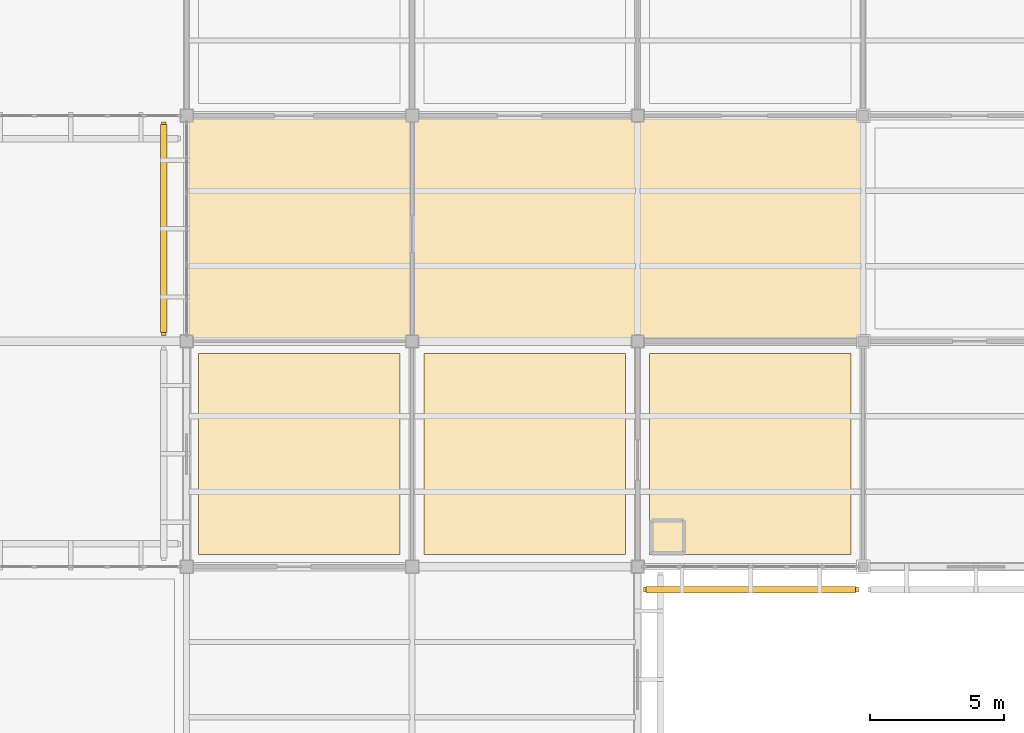
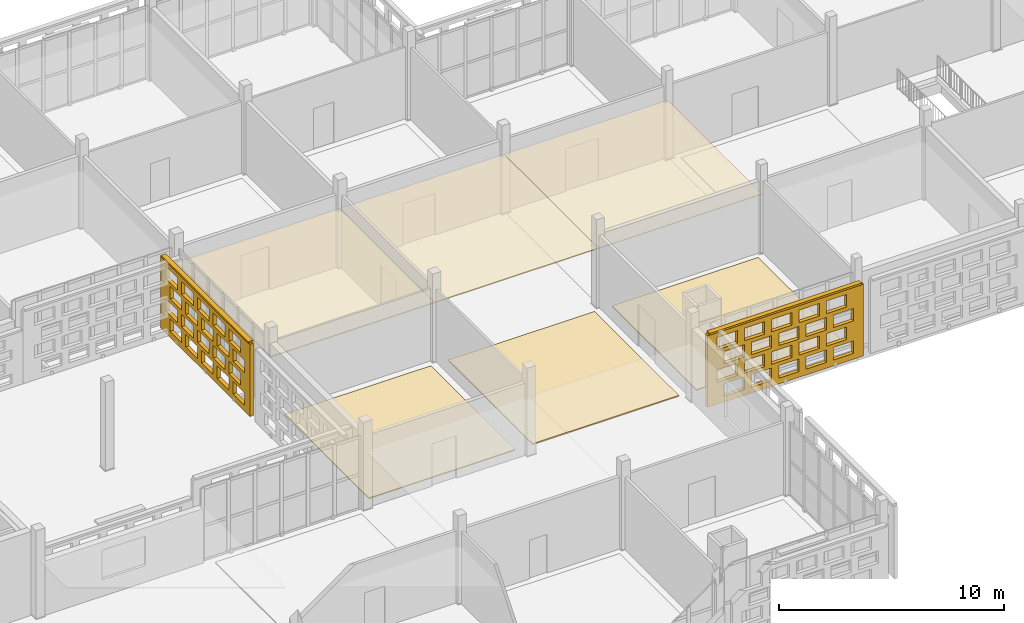
# One storey, part 141 of 203: 8 coverings, 2 shading devices, 40 openings.
"""IFC4 building model written with IfcOpenShell, lengths in metres."""

from ifc_helpers import new_model, si_unit, direction, frame, frame_2d, origin, origin_2d, place, context, subcontext, project, spatial, rectangle, extrude, material, layer, layer_set, type_object, element, save


model = new_model("IFC4")

# Units and contexts
model_context = context("Model", 3, precision=1e-05, world=origin(), true_north=direction((0.0, 1.0)))
body_context = subcontext(model_context, "Body", "Model", "MODEL_VIEW")
ifc_project = project(units=[si_unit("LENGTHUNIT", "METRE"), si_unit("AREAUNIT", "SQUARE_METRE"), si_unit("VOLUMEUNIT", "CUBIC_METRE"), si_unit("PLANEANGLEUNIT", "RADIAN"), si_unit("MASSUNIT", "GRAM", prefix="KILO")], contexts=[model_context])

# Site, building, storey
site_placement = place(None, origin())
site = spatial("IfcSite", under=ifc_project, at=site_placement, CompositionType="ELEMENT")
building_placement = place(site_placement, origin())
building = spatial("IfcBuilding", under=site, at=building_placement, Name="Varnapada Polytechnic", CompositionType="ELEMENT")
storey_placement = place(building_placement, frame((0.0, 0.0, 4.800048828125)))
storey = spatial("IfcBuildingStorey", under=building, at=storey_placement, Name="L01", CompositionType="ELEMENT", Elevation=4.800048828125)

# Coverings
ifc_material_1 = material(Name="Anti-Static Raised Laboratory Flooring")
ifc_layer_1 = layer(ifc_material_1, 0.06005859375)
ifc_layer_set_1 = layer_set([ifc_layer_1], Name="Anti-Static Raised Laboratory Flooring")
covering_type_1 = type_object("IfcCoveringType", Name="Floor Finish FLR-02", PredefinedType="FLOORING", material=ifc_layer_set_1)
covering_1_placement = place(storey_placement, frame((54.60009765625, 21.0, 0.0), z_axis=(0.0, 0.0, 1.0), x_axis=(1.0, 0.0, 0.0)))
element("IfcCovering", 1, at=covering_1_placement, inside=storey, type_object=covering_type_1, Name="L01 floor finish panel (7,3)", PredefinedType="FLOORING", context=body_context, shape_type="SweptSolid", body=[
    extrude(rectangle(XDim=7.5, YDim=7.5, at=origin_2d()), origin(), (0.0, 0.0, 1.0), 0.06005859375),
])
ifc_material_2 = material(Name="End-Grain Timber Studio Block Flooring", Category="wood")
ifc_layer_2 = layer(ifc_material_2, 0.054931640625)
ifc_layer_set_2 = layer_set([ifc_layer_2], Name="End-Grain Timber Studio Block Flooring")
covering_type_2 = type_object("IfcCoveringType", Name="Floor Finish FLR-04", PredefinedType="FLOORING", material=ifc_layer_set_2)
for number, where, z_axis, x_axis, name in (
    (2, (46.199951171875, 21.0, 0.0), (0.0, 0.0, 1.0), (1.0, 0.0, 0.0), "L01 floor finish panel (6,3)"),
    (3, (63.0, 21.0, 0.0), (0.0, 0.0, 1.0), (1.0, 0.0, 0.0), "L01 floor finish panel (8,3)"),
):
    element("IfcCovering", number, at=place(storey_placement, frame(where, z_axis=z_axis, x_axis=x_axis)), inside=storey, type_object=covering_type_2, Name=name, PredefinedType="FLOORING", context=body_context, shape_type="SweptSolid", body=[
        extrude(rectangle(XDim=7.5, YDim=7.5, at=origin_2d()), origin(), (0.0, 0.0, 1.0), 0.054931640625),
    ])
ifc_material_3 = material(Name="Perforated Timber Slatted Baffle Ceiling", Category="wood")
ifc_layer_3 = layer(ifc_material_3, 0.050048828125)
ifc_layer_set_3 = layer_set([ifc_layer_3], Name="Perforated Timber Slatted Baffle Ceiling")
covering_type_3 = type_object("IfcCoveringType", Name="Suspended Ceiling CLG-02", PredefinedType="CEILING", material=ifc_layer_set_3)
covering_2_placement = place(storey_placement, frame((46.199951171875, 29.39990234375, 3.02490234375), z_axis=(0.0, 0.0, 1.0), x_axis=(1.0, 0.0, 0.0)))
element("IfcCovering", 4, at=covering_2_placement, inside=storey, type_object=covering_type_3, Name="L01 suspended acoustic ceiling (6,4)", PredefinedType="CEILING", context=body_context, shape_type="SweptSolid", body=[
    extrude(rectangle(XDim=8.419921875, YDim=8.419921875, at=origin_2d()), origin(), (0.0, 0.0, 1.0), 0.050048828125),
])
ifc_material_4 = material(Name="Slatted Merbau Timber Acoustic Ceiling", Category="wood")
ifc_layer_4 = layer(ifc_material_4, 0.054931640625)
ifc_layer_set_4 = layer_set([ifc_layer_4], Name="Slatted Merbau Timber Acoustic Ceiling")
covering_type_4 = type_object("IfcCoveringType", Name="Suspended Ceiling CLG-05", PredefinedType="CEILING", material=ifc_layer_set_4)
covering_3_placement = place(storey_placement, frame((54.60009765625, 29.39990234375, 3.0224609375), z_axis=(0.0, 0.0, 1.0), x_axis=(1.0, 0.0, 0.0)))
element("IfcCovering", 5, at=covering_3_placement, inside=storey, type_object=covering_type_4, Name="L01 suspended acoustic ceiling (7,4)", PredefinedType="CEILING", context=body_context, shape_type="SweptSolid", body=[
    extrude(rectangle(XDim=8.419921875, YDim=8.419921875, at=origin_2d()), origin(), (0.0, 0.0, 1.0), 0.054931640625),
])
ifc_material_5 = material(Name="Cleanroom Laboratory Metal Pan Ceiling")
ifc_layer_5 = layer(ifc_material_5, 0.034912109375)
ifc_layer_set_5 = layer_set([ifc_layer_5], Name="Cleanroom Laboratory Metal Pan Ceiling")
covering_type_5 = type_object("IfcCoveringType", Name="Suspended Ceiling CLG-06", PredefinedType="CEILING", material=ifc_layer_set_5)
covering_4_placement = place(storey_placement, frame((63.0, 29.39990234375, 3.03271484375), z_axis=(0.0, 0.0, 1.0), x_axis=(1.0, 0.0, 0.0)))
element("IfcCovering", 6, at=covering_4_placement, inside=storey, type_object=covering_type_5, Name="L01 suspended acoustic ceiling (8,4)", PredefinedType="CEILING", context=body_context, shape_type="SweptSolid", body=[
    extrude(rectangle(XDim=8.419921875, YDim=8.419921875, at=origin_2d()), origin(), (0.0, 0.0, 1.0), 0.034912109375),
])

# Covering, openings
ifc_material_6 = material(Name="Earth-toned architectural terracotta screen block", Category="masonry")
ifc_layer_6 = layer(ifc_material_6, 0.1201171875)
ifc_layer_set_6 = layer_set([ifc_layer_6], Name="Earth-toned architectural terracotta screen block")
covering_type_6 = type_object("IfcCoveringType", Name="Terracotta Screen Cladding CLD-01", PredefinedType="CLADDING", material=ifc_layer_set_6)
covering_5_placement = place(storey_placement, frame((41.14990234375, 25.419921875, 0.0), z_axis=(0.0, 0.0, 1.0), x_axis=(0.0, 1.0, 0.0)))
covering_5 = element("IfcCovering", 7, at=covering_5_placement, inside=storey, type_object=covering_type_6, Name="L01 perforated terracotta block screen (39)", PredefinedType="CLADDING", context=body_context, shape_type="SweptSolid", body=[
    extrude(rectangle(XDim=7.9501953125, YDim=0.179931640625, at=frame_2d((3.97509765625, 0.0))), origin(), (0.0, 0.0, 1.0), 3.919921875),
])
opening_1_placement = place(covering_5_placement, frame((0.47509765625, 0.0, 0.313720703125)))
element("IfcOpeningElement", 8, at=opening_1_placement, cuts=covering_5, Name="Screen perforation TBS-L01-038.1", PredefinedType="OPENING", context=body_context, shape_type="SweptSolid", body=[
    extrude(rectangle(XDim=1.0400390625, YDim=0.679931640625, at=frame_2d((0.52001953125, 0.33984375))), frame((0.0, 0.099853515625, 0.0), z_axis=(0.0, -1.0, 0.0), x_axis=(1.0, 0.0, 0.0)), (0.0, 0.0, 1.0), 0.199951171875),
])
opening_2_placement = place(covering_5_placement, frame((1.875, 0.0, 0.313720703125)))
element("IfcOpeningElement", 9, at=opening_2_placement, cuts=covering_5, Name="Screen perforation TBS-L01-038.2", PredefinedType="OPENING", context=body_context, shape_type="SweptSolid", body=[
    extrude(rectangle(XDim=1.0400390625, YDim=0.679931640625, at=frame_2d((0.52001953125, 0.33984375))), frame((0.0, 0.099853515625, 0.0), z_axis=(0.0, -1.0, 0.0), x_axis=(1.0, 0.0, 0.0)), (0.0, 0.0, 1.0), 0.199951171875),
])
opening_3_placement = place(covering_5_placement, frame((3.27490234375, 0.0, 0.313720703125)))
element("IfcOpeningElement", 10, at=opening_3_placement, cuts=covering_5, Name="Screen perforation TBS-L01-038.3", PredefinedType="OPENING", context=body_context, shape_type="SweptSolid", body=[
    extrude(rectangle(XDim=1.0400390625, YDim=0.679931640625, at=frame_2d((0.52001953125, 0.33984375))), frame((0.0, 0.099853515625, 0.0), z_axis=(0.0, -1.0, 0.0), x_axis=(1.0, 0.0, 0.0)), (0.0, 0.0, 1.0), 0.199951171875),
])
opening_4_placement = place(covering_5_placement, frame((4.675048828125, 0.0, 0.313720703125)))
element("IfcOpeningElement", 11, at=opening_4_placement, cuts=covering_5, Name="Screen perforation TBS-L01-038.4", PredefinedType="OPENING", context=body_context, shape_type="SweptSolid", body=[
    extrude(rectangle(XDim=1.0400390625, YDim=0.679931640625, at=frame_2d((0.52001953125, 0.33984375))), frame((0.0, 0.099853515625, 0.0), z_axis=(0.0, -1.0, 0.0), x_axis=(1.0, 0.0, 0.0)), (0.0, 0.0, 1.0), 0.199951171875),
])
opening_5_placement = place(covering_5_placement, frame((6.074951171875, 0.0, 0.313720703125)))
element("IfcOpeningElement", 12, at=opening_5_placement, cuts=covering_5, Name="Screen perforation TBS-L01-038.5", PredefinedType="OPENING", context=body_context, shape_type="SweptSolid", body=[
    extrude(rectangle(XDim=1.0400390625, YDim=0.679931640625, at=frame_2d((0.52001953125, 0.33984375))), frame((0.0, 0.099853515625, 0.0), z_axis=(0.0, -1.0, 0.0), x_axis=(1.0, 0.0, 0.0)), (0.0, 0.0, 1.0), 0.199951171875),
])
opening_6_placement = place(covering_5_placement, frame((0.8349609375, 0.0, 1.195556640625)))
element("IfcOpeningElement", 13, at=opening_6_placement, cuts=covering_5, Name="Screen perforation TBS-L01-038.6", PredefinedType="OPENING", context=body_context, shape_type="SweptSolid", body=[
    extrude(rectangle(XDim=1.0400390625, YDim=0.679931640625, at=frame_2d((0.52001953125, 0.33984375))), frame((0.0, 0.099853515625, 0.0), z_axis=(0.0, -1.0, 0.0), x_axis=(1.0, 0.0, 0.0)), (0.0, 0.0, 1.0), 0.199951171875),
])
opening_7_placement = place(covering_5_placement, frame((2.235107421875, 0.0, 1.195556640625)))
element("IfcOpeningElement", 14, at=opening_7_placement, cuts=covering_5, Name="Screen perforation TBS-L01-038.7", PredefinedType="OPENING", context=body_context, shape_type="SweptSolid", body=[
    extrude(rectangle(XDim=1.0400390625, YDim=0.679931640625, at=frame_2d((0.52001953125, 0.33984375))), frame((0.0, 0.099853515625, 0.0), z_axis=(0.0, -1.0, 0.0), x_axis=(1.0, 0.0, 0.0)), (0.0, 0.0, 1.0), 0.199951171875),
])
opening_8_placement = place(covering_5_placement, frame((3.635009765625, 0.0, 1.195556640625)))
element("IfcOpeningElement", 15, at=opening_8_placement, cuts=covering_5, Name="Screen perforation TBS-L01-038.8", PredefinedType="OPENING", context=body_context, shape_type="SweptSolid", body=[
    extrude(rectangle(XDim=1.0400390625, YDim=0.679931640625, at=frame_2d((0.52001953125, 0.33984375))), frame((0.0, 0.099853515625, 0.0), z_axis=(0.0, -1.0, 0.0), x_axis=(1.0, 0.0, 0.0)), (0.0, 0.0, 1.0), 0.199951171875),
])
opening_9_placement = place(covering_5_placement, frame((5.034912109375, 0.0, 1.195556640625)))
element("IfcOpeningElement", 16, at=opening_9_placement, cuts=covering_5, Name="Screen perforation TBS-L01-038.9", PredefinedType="OPENING", context=body_context, shape_type="SweptSolid", body=[
    extrude(rectangle(XDim=1.0400390625, YDim=0.679931640625, at=frame_2d((0.52001953125, 0.33984375))), frame((0.0, 0.099853515625, 0.0), z_axis=(0.0, -1.0, 0.0), x_axis=(1.0, 0.0, 0.0)), (0.0, 0.0, 1.0), 0.199951171875),
])
opening_10_placement = place(covering_5_placement, frame((6.43505859375, 0.0, 1.195556640625)))
element("IfcOpeningElement", 17, at=opening_10_placement, cuts=covering_5, Name="Screen perforation TBS-L01-038.10", PredefinedType="OPENING", context=body_context, shape_type="SweptSolid", body=[
    extrude(rectangle(XDim=1.0400390625, YDim=0.679931640625, at=frame_2d((0.52001953125, 0.33984375))), frame((0.0, 0.099853515625, 0.0), z_axis=(0.0, -1.0, 0.0), x_axis=(1.0, 0.0, 0.0)), (0.0, 0.0, 1.0), 0.199951171875),
])
opening_11_placement = place(covering_5_placement, frame((0.47509765625, 0.0, 2.07763671875)))
element("IfcOpeningElement", 18, at=opening_11_placement, cuts=covering_5, Name="Screen perforation TBS-L01-038.11", PredefinedType="OPENING", context=body_context, shape_type="SweptSolid", body=[
    extrude(rectangle(XDim=1.0400390625, YDim=0.679931640625, at=frame_2d((0.52001953125, 0.33984375))), frame((0.0, 0.099853515625, 0.0), z_axis=(0.0, -1.0, 0.0), x_axis=(1.0, 0.0, 0.0)), (0.0, 0.0, 1.0), 0.199951171875),
])
opening_12_placement = place(covering_5_placement, frame((1.875, 0.0, 2.07763671875)))
element("IfcOpeningElement", 19, at=opening_12_placement, cuts=covering_5, Name="Screen perforation TBS-L01-038.12", PredefinedType="OPENING", context=body_context, shape_type="SweptSolid", body=[
    extrude(rectangle(XDim=1.0400390625, YDim=0.679931640625, at=frame_2d((0.52001953125, 0.33984375))), frame((0.0, 0.099853515625, 0.0), z_axis=(0.0, -1.0, 0.0), x_axis=(1.0, 0.0, 0.0)), (0.0, 0.0, 1.0), 0.199951171875),
])
opening_13_placement = place(covering_5_placement, frame((3.27490234375, 0.0, 2.07763671875)))
element("IfcOpeningElement", 20, at=opening_13_placement, cuts=covering_5, Name="Screen perforation TBS-L01-038.13", PredefinedType="OPENING", context=body_context, shape_type="SweptSolid", body=[
    extrude(rectangle(XDim=1.0400390625, YDim=0.679931640625, at=frame_2d((0.52001953125, 0.33984375))), frame((0.0, 0.099853515625, 0.0), z_axis=(0.0, -1.0, 0.0), x_axis=(1.0, 0.0, 0.0)), (0.0, 0.0, 1.0), 0.199951171875),
])
opening_14_placement = place(covering_5_placement, frame((4.675048828125, 0.0, 2.07763671875)))
element("IfcOpeningElement", 21, at=opening_14_placement, cuts=covering_5, Name="Screen perforation TBS-L01-038.14", PredefinedType="OPENING", context=body_context, shape_type="SweptSolid", body=[
    extrude(rectangle(XDim=1.0400390625, YDim=0.679931640625, at=frame_2d((0.52001953125, 0.33984375))), frame((0.0, 0.099853515625, 0.0), z_axis=(0.0, -1.0, 0.0), x_axis=(1.0, 0.0, 0.0)), (0.0, 0.0, 1.0), 0.199951171875),
])
opening_15_placement = place(covering_5_placement, frame((6.074951171875, 0.0, 2.07763671875)))
element("IfcOpeningElement", 22, at=opening_15_placement, cuts=covering_5, Name="Screen perforation TBS-L01-038.15", PredefinedType="OPENING", context=body_context, shape_type="SweptSolid", body=[
    extrude(rectangle(XDim=1.0400390625, YDim=0.679931640625, at=frame_2d((0.52001953125, 0.33984375))), frame((0.0, 0.099853515625, 0.0), z_axis=(0.0, -1.0, 0.0), x_axis=(1.0, 0.0, 0.0)), (0.0, 0.0, 1.0), 0.199951171875),
])
opening_16_placement = place(covering_5_placement, frame((0.8349609375, 0.0, 2.959716796875)))
element("IfcOpeningElement", 23, at=opening_16_placement, cuts=covering_5, Name="Screen perforation TBS-L01-038.16", PredefinedType="OPENING", context=body_context, shape_type="SweptSolid", body=[
    extrude(rectangle(XDim=1.0400390625, YDim=0.679931640625, at=frame_2d((0.52001953125, 0.33984375))), frame((0.0, 0.099853515625, 0.0), z_axis=(0.0, -1.0, 0.0), x_axis=(1.0, 0.0, 0.0)), (0.0, 0.0, 1.0), 0.199951171875),
])
opening_17_placement = place(covering_5_placement, frame((2.235107421875, 0.0, 2.959716796875)))
element("IfcOpeningElement", 24, at=opening_17_placement, cuts=covering_5, Name="Screen perforation TBS-L01-038.17", PredefinedType="OPENING", context=body_context, shape_type="SweptSolid", body=[
    extrude(rectangle(XDim=1.0400390625, YDim=0.679931640625, at=frame_2d((0.52001953125, 0.33984375))), frame((0.0, 0.099853515625, 0.0), z_axis=(0.0, -1.0, 0.0), x_axis=(1.0, 0.0, 0.0)), (0.0, 0.0, 1.0), 0.199951171875),
])
opening_18_placement = place(covering_5_placement, frame((3.635009765625, 0.0, 2.959716796875)))
element("IfcOpeningElement", 25, at=opening_18_placement, cuts=covering_5, Name="Screen perforation TBS-L01-038.18", PredefinedType="OPENING", context=body_context, shape_type="SweptSolid", body=[
    extrude(rectangle(XDim=1.0400390625, YDim=0.679931640625, at=frame_2d((0.52001953125, 0.33984375))), frame((0.0, 0.099853515625, 0.0), z_axis=(0.0, -1.0, 0.0), x_axis=(1.0, 0.0, 0.0)), (0.0, 0.0, 1.0), 0.199951171875),
])
opening_19_placement = place(covering_5_placement, frame((5.034912109375, 0.0, 2.959716796875)))
element("IfcOpeningElement", 26, at=opening_19_placement, cuts=covering_5, Name="Screen perforation TBS-L01-038.19", PredefinedType="OPENING", context=body_context, shape_type="SweptSolid", body=[
    extrude(rectangle(XDim=1.0400390625, YDim=0.679931640625, at=frame_2d((0.52001953125, 0.33984375))), frame((0.0, 0.099853515625, 0.0), z_axis=(0.0, -1.0, 0.0), x_axis=(1.0, 0.0, 0.0)), (0.0, 0.0, 1.0), 0.199951171875),
])
opening_20_placement = place(covering_5_placement, frame((6.43505859375, 0.0, 2.959716796875)))
element("IfcOpeningElement", 27, at=opening_20_placement, cuts=covering_5, Name="Screen perforation TBS-L01-038.20", PredefinedType="OPENING", context=body_context, shape_type="SweptSolid", body=[
    extrude(rectangle(XDim=1.0400390625, YDim=0.679931640625, at=frame_2d((0.52001953125, 0.33984375))), frame((0.0, 0.099853515625, 0.0), z_axis=(0.0, -1.0, 0.0), x_axis=(1.0, 0.0, 0.0)), (0.0, 0.0, 1.0), 0.199951171875),
])

covering_6_placement = place(storey_placement, frame((67.02001953125, 15.949951171875, 0.0), z_axis=(0.0, 0.0, 1.0), x_axis=(-1.0, 0.0, 0.0)))
covering_6 = element("IfcCovering", 28, at=covering_6_placement, inside=storey, type_object=covering_type_6, Name="L01 perforated terracotta block screen (54)", PredefinedType="CLADDING", context=body_context, shape_type="SweptSolid", body=[
    extrude(rectangle(XDim=8.010009765625, YDim=0.179931640625, at=frame_2d((4.0048828125, 0.0))), origin(), (0.0, 0.0, 1.0), 3.919921875),
])
opening_21_placement = place(covering_6_placement, frame((0.5048828125, 0.0, 0.313720703125)))
element("IfcOpeningElement", 29, at=opening_21_placement, cuts=covering_6, Name="Screen perforation TBS-L01-053.1", PredefinedType="OPENING", context=body_context, shape_type="SweptSolid", body=[
    extrude(rectangle(XDim=1.0400390625, YDim=0.679931640625, at=frame_2d((0.52001953125, 0.33984375))), frame((0.0, 0.099853515625, 0.0), z_axis=(0.0, -1.0, 0.0), x_axis=(1.0, 0.0, 0.0)), (0.0, 0.0, 1.0), 0.199951171875),
])
opening_22_placement = place(covering_6_placement, frame((1.905029296875, 0.0, 0.313720703125)))
element("IfcOpeningElement", 30, at=opening_22_placement, cuts=covering_6, Name="Screen perforation TBS-L01-053.2", PredefinedType="OPENING", context=body_context, shape_type="SweptSolid", body=[
    extrude(rectangle(XDim=1.0400390625, YDim=0.679931640625, at=frame_2d((0.52001953125, 0.33984375))), frame((0.0, 0.099853515625, 0.0), z_axis=(0.0, -1.0, 0.0), x_axis=(1.0, 0.0, 0.0)), (0.0, 0.0, 1.0), 0.199951171875),
])
opening_23_placement = place(covering_6_placement, frame((3.304931640625, 0.0, 0.313720703125)))
element("IfcOpeningElement", 31, at=opening_23_placement, cuts=covering_6, Name="Screen perforation TBS-L01-053.3", PredefinedType="OPENING", context=body_context, shape_type="SweptSolid", body=[
    extrude(rectangle(XDim=1.0400390625, YDim=0.679931640625, at=frame_2d((0.52001953125, 0.33984375))), frame((0.0, 0.099853515625, 0.0), z_axis=(0.0, -1.0, 0.0), x_axis=(1.0, 0.0, 0.0)), (0.0, 0.0, 1.0), 0.199951171875),
])
opening_24_placement = place(covering_6_placement, frame((4.705078125, 0.0, 0.313720703125)))
element("IfcOpeningElement", 32, at=opening_24_placement, cuts=covering_6, Name="Screen perforation TBS-L01-053.4", PredefinedType="OPENING", context=body_context, shape_type="SweptSolid", body=[
    extrude(rectangle(XDim=1.0400390625, YDim=0.679931640625, at=frame_2d((0.52001953125, 0.33984375))), frame((0.0, 0.099853515625, 0.0), z_axis=(0.0, -1.0, 0.0), x_axis=(1.0, 0.0, 0.0)), (0.0, 0.0, 1.0), 0.199951171875),
])
opening_25_placement = place(covering_6_placement, frame((6.10498046875, 0.0, 0.313720703125)))
element("IfcOpeningElement", 33, at=opening_25_placement, cuts=covering_6, Name="Screen perforation TBS-L01-053.5", PredefinedType="OPENING", context=body_context, shape_type="SweptSolid", body=[
    extrude(rectangle(XDim=1.0400390625, YDim=0.679931640625, at=frame_2d((0.52001953125, 0.33984375))), frame((0.0, 0.099853515625, 0.0), z_axis=(0.0, -1.0, 0.0), x_axis=(1.0, 0.0, 0.0)), (0.0, 0.0, 1.0), 0.199951171875),
])
opening_26_placement = place(covering_6_placement, frame((0.864990234375, 0.0, 1.195556640625)))
element("IfcOpeningElement", 34, at=opening_26_placement, cuts=covering_6, Name="Screen perforation TBS-L01-053.6", PredefinedType="OPENING", context=body_context, shape_type="SweptSolid", body=[
    extrude(rectangle(XDim=1.0400390625, YDim=0.679931640625, at=frame_2d((0.52001953125, 0.33984375))), frame((0.0, 0.099853515625, 0.0), z_axis=(0.0, -1.0, 0.0), x_axis=(1.0, 0.0, 0.0)), (0.0, 0.0, 1.0), 0.199951171875),
])
opening_27_placement = place(covering_6_placement, frame((2.264892578125, 0.0, 1.195556640625)))
element("IfcOpeningElement", 35, at=opening_27_placement, cuts=covering_6, Name="Screen perforation TBS-L01-053.7", PredefinedType="OPENING", context=body_context, shape_type="SweptSolid", body=[
    extrude(rectangle(XDim=1.0400390625, YDim=0.679931640625, at=frame_2d((0.52001953125, 0.33984375))), frame((0.0, 0.099853515625, 0.0), z_axis=(0.0, -1.0, 0.0), x_axis=(1.0, 0.0, 0.0)), (0.0, 0.0, 1.0), 0.199951171875),
])
opening_28_placement = place(covering_6_placement, frame((3.6650390625, 0.0, 1.195556640625)))
element("IfcOpeningElement", 36, at=opening_28_placement, cuts=covering_6, Name="Screen perforation TBS-L01-053.8", PredefinedType="OPENING", context=body_context, shape_type="SweptSolid", body=[
    extrude(rectangle(XDim=1.0400390625, YDim=0.679931640625, at=frame_2d((0.52001953125, 0.33984375))), frame((0.0, 0.099853515625, 0.0), z_axis=(0.0, -1.0, 0.0), x_axis=(1.0, 0.0, 0.0)), (0.0, 0.0, 1.0), 0.199951171875),
])
opening_29_placement = place(covering_6_placement, frame((5.06494140625, 0.0, 1.195556640625)))
element("IfcOpeningElement", 37, at=opening_29_placement, cuts=covering_6, Name="Screen perforation TBS-L01-053.9", PredefinedType="OPENING", context=body_context, shape_type="SweptSolid", body=[
    extrude(rectangle(XDim=1.0400390625, YDim=0.679931640625, at=frame_2d((0.52001953125, 0.33984375))), frame((0.0, 0.099853515625, 0.0), z_axis=(0.0, -1.0, 0.0), x_axis=(1.0, 0.0, 0.0)), (0.0, 0.0, 1.0), 0.199951171875),
])
opening_30_placement = place(covering_6_placement, frame((6.465087890625, 0.0, 1.195556640625)))
element("IfcOpeningElement", 38, at=opening_30_placement, cuts=covering_6, Name="Screen perforation TBS-L01-053.10", PredefinedType="OPENING", context=body_context, shape_type="SweptSolid", body=[
    extrude(rectangle(XDim=1.0400390625, YDim=0.679931640625, at=frame_2d((0.52001953125, 0.33984375))), frame((0.0, 0.099853515625, 0.0), z_axis=(0.0, -1.0, 0.0), x_axis=(1.0, 0.0, 0.0)), (0.0, 0.0, 1.0), 0.199951171875),
])
opening_31_placement = place(covering_6_placement, frame((0.5048828125, 0.0, 2.07763671875)))
element("IfcOpeningElement", 39, at=opening_31_placement, cuts=covering_6, Name="Screen perforation TBS-L01-053.11", PredefinedType="OPENING", context=body_context, shape_type="SweptSolid", body=[
    extrude(rectangle(XDim=1.0400390625, YDim=0.679931640625, at=frame_2d((0.52001953125, 0.33984375))), frame((0.0, 0.099853515625, 0.0), z_axis=(0.0, -1.0, 0.0), x_axis=(1.0, 0.0, 0.0)), (0.0, 0.0, 1.0), 0.199951171875),
])
opening_32_placement = place(covering_6_placement, frame((1.905029296875, 0.0, 2.07763671875)))
element("IfcOpeningElement", 40, at=opening_32_placement, cuts=covering_6, Name="Screen perforation TBS-L01-053.12", PredefinedType="OPENING", context=body_context, shape_type="SweptSolid", body=[
    extrude(rectangle(XDim=1.0400390625, YDim=0.679931640625, at=frame_2d((0.52001953125, 0.33984375))), frame((0.0, 0.099853515625, 0.0), z_axis=(0.0, -1.0, 0.0), x_axis=(1.0, 0.0, 0.0)), (0.0, 0.0, 1.0), 0.199951171875),
])
opening_33_placement = place(covering_6_placement, frame((3.304931640625, 0.0, 2.07763671875)))
element("IfcOpeningElement", 41, at=opening_33_placement, cuts=covering_6, Name="Screen perforation TBS-L01-053.13", PredefinedType="OPENING", context=body_context, shape_type="SweptSolid", body=[
    extrude(rectangle(XDim=1.0400390625, YDim=0.679931640625, at=frame_2d((0.52001953125, 0.33984375))), frame((0.0, 0.099853515625, 0.0), z_axis=(0.0, -1.0, 0.0), x_axis=(1.0, 0.0, 0.0)), (0.0, 0.0, 1.0), 0.199951171875),
])
opening_34_placement = place(covering_6_placement, frame((4.705078125, 0.0, 2.07763671875)))
element("IfcOpeningElement", 42, at=opening_34_placement, cuts=covering_6, Name="Screen perforation TBS-L01-053.14", PredefinedType="OPENING", context=body_context, shape_type="SweptSolid", body=[
    extrude(rectangle(XDim=1.0400390625, YDim=0.679931640625, at=frame_2d((0.52001953125, 0.33984375))), frame((0.0, 0.099853515625, 0.0), z_axis=(0.0, -1.0, 0.0), x_axis=(1.0, 0.0, 0.0)), (0.0, 0.0, 1.0), 0.199951171875),
])
opening_35_placement = place(covering_6_placement, frame((6.10498046875, 0.0, 2.07763671875)))
element("IfcOpeningElement", 43, at=opening_35_placement, cuts=covering_6, Name="Screen perforation TBS-L01-053.15", PredefinedType="OPENING", context=body_context, shape_type="SweptSolid", body=[
    extrude(rectangle(XDim=1.0400390625, YDim=0.679931640625, at=frame_2d((0.52001953125, 0.33984375))), frame((0.0, 0.099853515625, 0.0), z_axis=(0.0, -1.0, 0.0), x_axis=(1.0, 0.0, 0.0)), (0.0, 0.0, 1.0), 0.199951171875),
])
opening_36_placement = place(covering_6_placement, frame((0.864990234375, 0.0, 2.959716796875)))
element("IfcOpeningElement", 44, at=opening_36_placement, cuts=covering_6, Name="Screen perforation TBS-L01-053.16", PredefinedType="OPENING", context=body_context, shape_type="SweptSolid", body=[
    extrude(rectangle(XDim=1.0400390625, YDim=0.679931640625, at=frame_2d((0.52001953125, 0.33984375))), frame((0.0, 0.099853515625, 0.0), z_axis=(0.0, -1.0, 0.0), x_axis=(1.0, 0.0, 0.0)), (0.0, 0.0, 1.0), 0.199951171875),
])
opening_37_placement = place(covering_6_placement, frame((2.264892578125, 0.0, 2.959716796875)))
element("IfcOpeningElement", 45, at=opening_37_placement, cuts=covering_6, Name="Screen perforation TBS-L01-053.17", PredefinedType="OPENING", context=body_context, shape_type="SweptSolid", body=[
    extrude(rectangle(XDim=1.0400390625, YDim=0.679931640625, at=frame_2d((0.52001953125, 0.33984375))), frame((0.0, 0.099853515625, 0.0), z_axis=(0.0, -1.0, 0.0), x_axis=(1.0, 0.0, 0.0)), (0.0, 0.0, 1.0), 0.199951171875),
])
opening_38_placement = place(covering_6_placement, frame((3.6650390625, 0.0, 2.959716796875)))
element("IfcOpeningElement", 46, at=opening_38_placement, cuts=covering_6, Name="Screen perforation TBS-L01-053.18", PredefinedType="OPENING", context=body_context, shape_type="SweptSolid", body=[
    extrude(rectangle(XDim=1.0400390625, YDim=0.679931640625, at=frame_2d((0.52001953125, 0.33984375))), frame((0.0, 0.099853515625, 0.0), z_axis=(0.0, -1.0, 0.0), x_axis=(1.0, 0.0, 0.0)), (0.0, 0.0, 1.0), 0.199951171875),
])
opening_39_placement = place(covering_6_placement, frame((5.06494140625, 0.0, 2.959716796875)))
element("IfcOpeningElement", 47, at=opening_39_placement, cuts=covering_6, Name="Screen perforation TBS-L01-053.19", PredefinedType="OPENING", context=body_context, shape_type="SweptSolid", body=[
    extrude(rectangle(XDim=1.0400390625, YDim=0.679931640625, at=frame_2d((0.52001953125, 0.33984375))), frame((0.0, 0.099853515625, 0.0), z_axis=(0.0, -1.0, 0.0), x_axis=(1.0, 0.0, 0.0)), (0.0, 0.0, 1.0), 0.199951171875),
])
opening_40_placement = place(covering_6_placement, frame((6.465087890625, 0.0, 2.959716796875)))
element("IfcOpeningElement", 48, at=opening_40_placement, cuts=covering_6, Name="Screen perforation TBS-L01-053.20", PredefinedType="OPENING", context=body_context, shape_type="SweptSolid", body=[
    extrude(rectangle(XDim=1.0400390625, YDim=0.679931640625, at=frame_2d((0.52001953125, 0.33984375))), frame((0.0, 0.099853515625, 0.0), z_axis=(0.0, -1.0, 0.0), x_axis=(1.0, 0.0, 0.0)), (0.0, 0.0, 1.0), 0.199951171875),
])

# Shading devices
ifc_layer_7 = layer(ifc_material_6, 0.179931640625)
ifc_layer_set_7 = layer_set([ifc_layer_7], Name="Earth-toned architectural terracotta screen block")
shading_device_type = type_object("IfcShadingDeviceType", Name="Terracotta Screen SCR-02", PredefinedType="USERDEFINED", material=ifc_layer_set_7)
shading_device_1_placement = place(storey_placement, frame((41.14990234375, 29.39501953125, 3.909912109375), z_axis=(0.0, 0.0, 1.0), x_axis=(0.0, 1.0, 0.0)))
element("IfcShadingDevice", 49, at=shading_device_1_placement, inside=storey, type_object=shading_device_type, Name="L01 perforated terracotta screen hood 120", ObjectType="SCREEN", PredefinedType="USERDEFINED", context=body_context, shape_type="SweptSolid", body=[
    extrude(rectangle(XDim=7.75, YDim=0.239990234375, at=origin_2d()), origin(), (0.0, 0.0, 1.0), 0.10009765625),
])
shading_device_2_placement = place(storey_placement, frame((63.014892578125, 15.949951171875, 3.909912109375), z_axis=(0.0, 0.0, 1.0), x_axis=(-1.0, 0.0, 0.0)))
element("IfcShadingDevice", 50, at=shading_device_2_placement, inside=storey, type_object=shading_device_type, Name="L01 perforated terracotta screen hood 133", ObjectType="SCREEN", PredefinedType="USERDEFINED", context=body_context, shape_type="SweptSolid", body=[
    extrude(rectangle(XDim=7.81005859375, YDim=0.239990234375, at=origin_2d()), origin(), (0.0, 0.0, 1.0), 0.10009765625),
])

save(model, "model.ifc")
